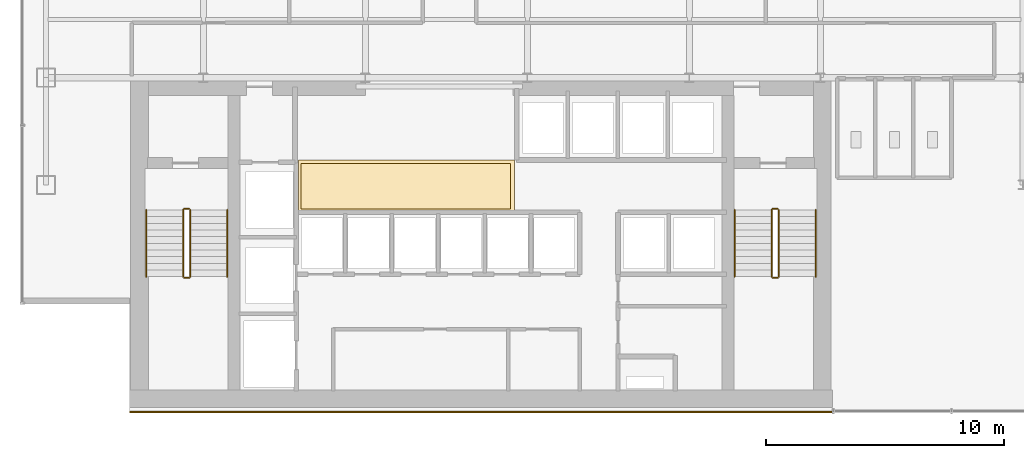
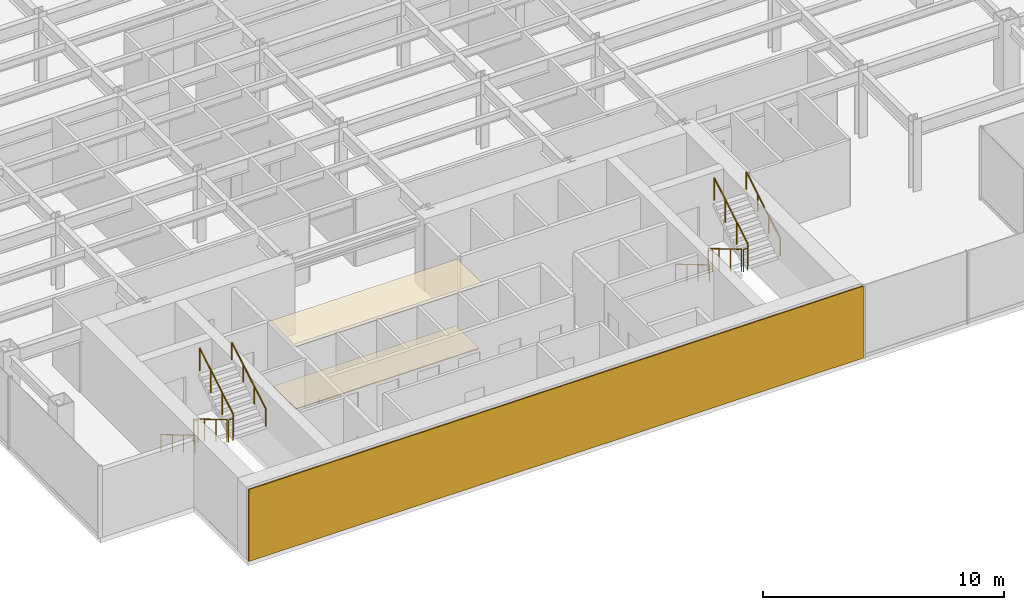
# One storey, part 24 of 26: 12 railings, 3 coverings.
"""IFC4 building model written with IfcOpenShell, lengths in metres."""

from ifc_helpers import new_model, si_unit, derived_unit, direction, frame, origin, origin_2d, place, context, subcontext, project, spatial, polyline, rectangle, circle, outline, extrude, source, transform, mapped, material, layer, layer_set, type_object, element, save


model = new_model("IFC4")

# Units and contexts
model_context = context("Model", 3, precision=1e-05, world=origin(), true_north=direction((0.0, 1.0)))
body_context = subcontext(model_context, "Body", "Model", "MODEL_VIEW")
ifc_project = project(units=[si_unit("LENGTHUNIT", "METRE"), si_unit("AREAUNIT", "SQUARE_METRE"), si_unit("VOLUMEUNIT", "CUBIC_METRE"), si_unit("PLANEANGLEUNIT", "RADIAN"), si_unit("MASSUNIT", "GRAM", prefix="KILO"), derived_unit("THERMALTRANSMITTANCEUNIT", [(si_unit("POWERUNIT", "WATT"), 1), (si_unit("LENGTHUNIT", "METRE"), -2), (si_unit("THERMODYNAMICTEMPERATUREUNIT", "KELVIN"), -1)])], contexts=[model_context])

# Site, building, storey
site_placement = place(None, origin())
site = spatial("IfcSite", under=ifc_project, at=site_placement, CompositionType="ELEMENT")
building_placement = place(site_placement, origin())
building = spatial("IfcBuilding", under=site, at=building_placement, Name="Skarnbrae Concourse Arena and Tower", CompositionType="ELEMENT")
storey_placement = place(building_placement, frame((0.0, 0.0, 92.300048828125)))
storey = spatial("IfcBuildingStorey", under=building, at=storey_placement, Name="L22", CompositionType="ELEMENT", Elevation=92.300048828125)

# Coverings
ifc_material_1 = material(Name="Mineral fibre acoustic ceiling tile", Category="other")
ifc_layer_1 = layer(ifc_material_1, 0.0400390625)
ifc_layer_set_1 = layer_set([ifc_layer_1], Name="Mineral fibre acoustic ceiling tile")
covering_type_1 = type_object("IfcCoveringType", Name="COV-CEIL-ACOUSTIC", PredefinedType="CEILING", material=ifc_layer_set_1)
covering_1_placement = place(storey_placement, frame((0.0, 0.0, 3.239990234375)))
element("IfcCovering", 1, at=covering_1_placement, inside=storey, type_object=covering_type_1, Name="L22 Lift lobby acoustic ceiling", PredefinedType="CEILING", context=body_context, shape_type="SweptSolid", body=[
    extrude(outline(polyline([(11.60009765625, 8.39990234375), (20.64990234375, 8.39990234375), (20.64990234375, 10.550048828125), (11.60009765625, 10.550048828125), (11.60009765625, 8.39990234375)])), origin(), (0.0, 0.0, 1.0), 0.0400390625),
])
ifc_material_2 = material(Name="Polished granite terrazzo flooring", Category="masonry")
ifc_layer_2 = layer(ifc_material_2, 0.0400390625)
ifc_layer_set_2 = layer_set([ifc_layer_2], Name="Polished granite terrazzo flooring")
covering_type_2 = type_object("IfcCoveringType", Name="COV-FLOOR-TERRAZZO", PredefinedType="FLOORING", material=ifc_layer_set_2)
covering_2_placement = place(storey_placement, origin())
element("IfcCovering", 2, at=covering_2_placement, inside=storey, type_object=covering_type_2, Name="L22 Lift lobby terrazzo flooring", PredefinedType="FLOORING", context=body_context, shape_type="SweptSolid", body=[
    extrude(outline(polyline([(11.699951171875, 8.5), (20.5, 8.5), (20.5, 10.39990234375), (11.699951171875, 10.39990234375), (11.699951171875, 8.5)])), origin(), (0.0, 0.0, 1.0), 0.0400390625),
])

# Railings
ifc_material_3 = material(Name="Steel CSA G40.21 350W", Category="steel")
railing_type_1 = type_object("IfcRailingType", Name="RAIL-HANDRAIL-900", PredefinedType="HANDRAIL", material=ifc_material_3)
railing_1_placement = place(storey_placement, frame((5.199951171875, 8.449951171875, 0.165771484375)))
element("IfcRailing", 3, at=railing_1_placement, inside=storey, type_object=railing_type_1, Name="L22 ST-1 stair handrail 1", PredefinedType="HANDRAIL", context=body_context, shape_type="SweptSolid", body=[
    extrude(circle(Radius=0.02392578125, at=origin_2d()), frame((0.0, 0.0, 0.8759765625), z_axis=(0.0, -0.860306154799, 0.50977771628), x_axis=(1.0, 0.0, 0.0)), (0.0, 0.0, 1.0), 3.254638671875),
    extrude(circle(Radius=0.02099609375, at=origin_2d()), origin(), (0.0, 0.0, 1.0), 0.851806640625),
    extrude(circle(Radius=0.02099609375, at=origin_2d()), frame((0.0, -0.933349609375, 0.552978515625)), (0.0, 0.0, 1.0), 0.851806640625),
    extrude(circle(Radius=0.02099609375, at=origin_2d()), frame((0.0, -1.86669921875, 1.106201171875)), (0.0, 0.0, 1.0), 0.851806640625),
    extrude(circle(Radius=0.02099609375, at=origin_2d()), frame((0.0, -2.800048828125, 1.6591796875)), (0.0, 0.0, 1.0), 0.851806640625),
])
railing_2_placement = place(storey_placement, frame((8.60009765625, 5.64990234375, 1.990966796875)))
element("IfcRailing", 4, at=railing_2_placement, inside=storey, type_object=railing_type_1, Name="L22 ST-1 stair handrail 2", PredefinedType="HANDRAIL", context=body_context, shape_type="SweptSolid", body=[
    extrude(circle(Radius=0.02392578125, at=origin_2d()), frame((0.0, 0.0, 0.8759765625), z_axis=(0.0, 0.860339051648, 0.50972219513), x_axis=(-1.0, 0.0, 0.0)), (0.0, 0.0, 1.0), 3.254638671875),
    extrude(circle(Radius=0.02099609375, at=origin_2d()), origin(), (0.0, 0.0, 1.0), 0.851806640625),
    extrude(circle(Radius=0.02099609375, at=origin_2d()), frame((0.0, 0.933349609375, 0.552978515625)), (0.0, 0.0, 1.0), 0.851806640625),
    extrude(circle(Radius=0.02099609375, at=origin_2d()), frame((0.0, 1.86669921875, 1.10595703125)), (0.0, 0.0, 1.0), 0.851806640625),
    extrude(circle(Radius=0.02099609375, at=origin_2d()), frame((0.0, 2.800048828125, 1.658935546875)), (0.0, 0.0, 1.0), 0.851806640625),
])
railing_3_placement = place(storey_placement, frame((29.89990234375, 8.449951171875, 0.165771484375)))
element("IfcRailing", 5, at=railing_3_placement, inside=storey, type_object=railing_type_1, Name="L22 ST-2 stair handrail 1", PredefinedType="HANDRAIL", context=body_context, shape_type="SweptSolid", body=[
    extrude(circle(Radius=0.02392578125, at=origin_2d()), frame((0.0, 0.0, 0.8759765625), z_axis=(0.0, -0.860306154799, 0.50977771628), x_axis=(1.0, 0.0, 0.0)), (0.0, 0.0, 1.0), 3.254638671875),
    extrude(circle(Radius=0.02099609375, at=origin_2d()), origin(), (0.0, 0.0, 1.0), 0.851806640625),
    extrude(circle(Radius=0.02099609375, at=origin_2d()), frame((0.0, -0.933349609375, 0.552978515625)), (0.0, 0.0, 1.0), 0.851806640625),
    extrude(circle(Radius=0.02099609375, at=origin_2d()), frame((0.0, -1.86669921875, 1.106201171875)), (0.0, 0.0, 1.0), 0.851806640625),
    extrude(circle(Radius=0.02099609375, at=origin_2d()), frame((0.0, -2.800048828125, 1.6591796875)), (0.0, 0.0, 1.0), 0.851806640625),
])
railing_4_placement = place(storey_placement, frame((33.300048828125, 5.64990234375, 1.990966796875)))
element("IfcRailing", 6, at=railing_4_placement, inside=storey, type_object=railing_type_1, Name="L22 ST-2 stair handrail 2", PredefinedType="HANDRAIL", context=body_context, shape_type="SweptSolid", body=[
    extrude(circle(Radius=0.02392578125, at=origin_2d()), frame((0.0, 0.0, 0.8759765625), z_axis=(0.0, 0.860339051648, 0.50972219513), x_axis=(-1.0, 0.0, 0.0)), (0.0, 0.0, 1.0), 3.254638671875),
    extrude(circle(Radius=0.02099609375, at=origin_2d()), origin(), (0.0, 0.0, 1.0), 0.851806640625),
    extrude(circle(Radius=0.02099609375, at=origin_2d()), frame((0.0, 0.933349609375, 0.552978515625)), (0.0, 0.0, 1.0), 0.851806640625),
    extrude(circle(Radius=0.02099609375, at=origin_2d()), frame((0.0, 1.86669921875, 1.10595703125)), (0.0, 0.0, 1.0), 0.851806640625),
    extrude(circle(Radius=0.02099609375, at=origin_2d()), frame((0.0, 2.800048828125, 1.658935546875)), (0.0, 0.0, 1.0), 0.851806640625),
])
railing_type_2 = type_object("IfcRailingType", Name="RAIL-STAIR-GUARD-1150", PredefinedType="GUARDRAIL", material=ifc_material_3)
railing_5_placement = place(storey_placement, frame((6.75, 8.449951171875, 0.165771484375)))
element("IfcRailing", 7, at=railing_5_placement, inside=storey, type_object=railing_type_2, Name="L22 ST-1 stair guard 1", PredefinedType="GUARDRAIL", context=body_context, shape_type="SweptSolid", body=[
    extrude(circle(Radius=0.02392578125, at=origin_2d()), frame((0.0, 0.0, 1.1259765625), z_axis=(0.0, -0.860306154799, 0.50977771628), x_axis=(1.0, 0.0, 0.0)), (0.0, 0.0, 1.0), 3.254638671875),
    extrude(circle(Radius=0.02099609375, at=origin_2d()), origin(), (0.0, 0.0, 1.0), 1.101806640625),
    extrude(circle(Radius=0.02099609375, at=origin_2d()), frame((0.0, -0.933349609375, 0.552978515625)), (0.0, 0.0, 1.0), 1.101806640625),
    extrude(circle(Radius=0.02099609375, at=origin_2d()), frame((0.0, -1.86669921875, 1.106201171875)), (0.0, 0.0, 1.0), 1.101806640625),
    extrude(circle(Radius=0.02099609375, at=origin_2d()), frame((0.0, -2.800048828125, 1.6591796875)), (0.0, 0.0, 1.0), 1.101806640625),
])
railing_6_placement = place(storey_placement, frame((6.800048828125, 5.60009765625, 1.824951171875)))
element("IfcRailing", 8, at=railing_6_placement, inside=storey, type_object=railing_type_2, Name="L22 ST-1 stair guard 2", PredefinedType="GUARDRAIL", context=body_context, shape_type="SweptSolid", body=[
    extrude(circle(Radius=0.02392578125, at=origin_2d()), frame((0.0, 0.0, 1.1259765625), z_axis=(1.0, 0.0, 0.0), x_axis=(0.0, 1.0, 0.0)), (0.0, 0.0, 1.0), 0.199951171875),
    extrude(circle(Radius=0.02099609375, at=origin_2d()), origin(), (0.0, 0.0, 1.0), 1.101806640625),
    extrude(circle(Radius=0.02099609375, at=origin_2d()), frame((0.199951171875, 0.0, 0.0)), (0.0, 0.0, 1.0), 1.101806640625),
])
railing_7_placement = place(storey_placement, frame((7.050048828125, 5.64990234375, 1.990966796875)))
element("IfcRailing", 9, at=railing_7_placement, inside=storey, type_object=railing_type_2, Name="L22 ST-1 stair guard 3", PredefinedType="GUARDRAIL", context=body_context, shape_type="SweptSolid", body=[
    extrude(circle(Radius=0.02392578125, at=origin_2d()), frame((0.0, 0.0, 1.1259765625), z_axis=(0.0, 0.860339051648, 0.50972219513), x_axis=(-1.0, 0.0, 0.0)), (0.0, 0.0, 1.0), 3.254638671875),
    extrude(circle(Radius=0.02099609375, at=origin_2d()), origin(), (0.0, 0.0, 1.0), 1.101806640625),
    extrude(circle(Radius=0.02099609375, at=origin_2d()), frame((0.0, 0.933349609375, 0.552978515625)), (0.0, 0.0, 1.0), 1.101806640625),
    extrude(circle(Radius=0.02099609375, at=origin_2d()), frame((0.0, 1.86669921875, 1.10595703125)), (0.0, 0.0, 1.0), 1.101806640625),
    extrude(circle(Radius=0.02099609375, at=origin_2d()), frame((0.0, 2.800048828125, 1.658935546875)), (0.0, 0.0, 1.0), 1.101806640625),
])
railing_8_placement = place(storey_placement, frame((6.800048828125, 8.5, 0.0)))
element("IfcRailing", 10, at=railing_8_placement, inside=storey, type_object=railing_type_2, Name="L22 ST-1 stair guard 4", PredefinedType="GUARDRAIL", context=body_context, shape_type="SweptSolid", body=[
    extrude(circle(Radius=0.02392578125, at=origin_2d()), frame((0.0, 0.0, 1.1259765625), z_axis=(1.0, 0.0, 0.0), x_axis=(0.0, 1.0, 0.0)), (0.0, 0.0, 1.0), 0.199951171875),
    extrude(circle(Radius=0.02099609375, at=origin_2d()), origin(), (0.0, 0.0, 1.0), 1.101806640625),
    extrude(circle(Radius=0.02099609375, at=origin_2d()), frame((0.199951171875, 0.0, 0.0)), (0.0, 0.0, 1.0), 1.101806640625),
])
railing_9_placement = place(storey_placement, frame((31.449951171875, 8.449951171875, 0.165771484375)))
element("IfcRailing", 11, at=railing_9_placement, inside=storey, type_object=railing_type_2, Name="L22 ST-2 stair guard 1", PredefinedType="GUARDRAIL", context=body_context, shape_type="SweptSolid", body=[
    extrude(circle(Radius=0.02392578125, at=origin_2d()), frame((0.0, 0.0, 1.1259765625), z_axis=(0.0, -0.860306154799, 0.50977771628), x_axis=(1.0, 0.0, 0.0)), (0.0, 0.0, 1.0), 3.254638671875),
    extrude(circle(Radius=0.02099609375, at=origin_2d()), origin(), (0.0, 0.0, 1.0), 1.101806640625),
    extrude(circle(Radius=0.02099609375, at=origin_2d()), frame((0.0, -0.933349609375, 0.552978515625)), (0.0, 0.0, 1.0), 1.101806640625),
    extrude(circle(Radius=0.02099609375, at=origin_2d()), frame((0.0, -1.86669921875, 1.106201171875)), (0.0, 0.0, 1.0), 1.101806640625),
    extrude(circle(Radius=0.02099609375, at=origin_2d()), frame((0.0, -2.800048828125, 1.6591796875)), (0.0, 0.0, 1.0), 1.101806640625),
])
railing_10_placement = place(storey_placement, frame((31.5, 5.60009765625, 1.824951171875)))
element("IfcRailing", 12, at=railing_10_placement, inside=storey, type_object=railing_type_2, Name="L22 ST-2 stair guard 2", PredefinedType="GUARDRAIL", context=body_context, shape_type="SweptSolid", body=[
    extrude(circle(Radius=0.02392578125, at=origin_2d()), frame((0.0, 0.0, 1.1259765625), z_axis=(1.0, 0.0, 0.0), x_axis=(0.0, 1.0, 0.0)), (0.0, 0.0, 1.0), 0.199951171875),
    extrude(circle(Radius=0.02099609375, at=origin_2d()), origin(), (0.0, 0.0, 1.0), 1.101806640625),
    extrude(circle(Radius=0.02099609375, at=origin_2d()), frame((0.199951171875, 0.0, 0.0)), (0.0, 0.0, 1.0), 1.101806640625),
])
railing_11_placement = place(storey_placement, frame((31.75, 5.64990234375, 1.990966796875)))
element("IfcRailing", 13, at=railing_11_placement, inside=storey, type_object=railing_type_2, Name="L22 ST-2 stair guard 3", PredefinedType="GUARDRAIL", context=body_context, shape_type="SweptSolid", body=[
    extrude(circle(Radius=0.02392578125, at=origin_2d()), frame((0.0, 0.0, 1.1259765625), z_axis=(0.0, 0.860339051648, 0.50972219513), x_axis=(-1.0, 0.0, 0.0)), (0.0, 0.0, 1.0), 3.254638671875),
    extrude(circle(Radius=0.02099609375, at=origin_2d()), origin(), (0.0, 0.0, 1.0), 1.101806640625),
    extrude(circle(Radius=0.02099609375, at=origin_2d()), frame((0.0, 0.933349609375, 0.552978515625)), (0.0, 0.0, 1.0), 1.101806640625),
    extrude(circle(Radius=0.02099609375, at=origin_2d()), frame((0.0, 1.86669921875, 1.10595703125)), (0.0, 0.0, 1.0), 1.101806640625),
    extrude(circle(Radius=0.02099609375, at=origin_2d()), frame((0.0, 2.800048828125, 1.658935546875)), (0.0, 0.0, 1.0), 1.101806640625),
])
railing_12_placement = place(storey_placement, frame((31.5, 8.5, 0.0)))
element("IfcRailing", 14, at=railing_12_placement, inside=storey, type_object=railing_type_2, Name="L22 ST-2 stair guard 4", PredefinedType="GUARDRAIL", context=body_context, shape_type="SweptSolid", body=[
    extrude(circle(Radius=0.02392578125, at=origin_2d()), frame((0.0, 0.0, 1.1259765625), z_axis=(1.0, 0.0, 0.0), x_axis=(0.0, 1.0, 0.0)), (0.0, 0.0, 1.0), 0.199951171875),
    extrude(circle(Radius=0.02099609375, at=origin_2d()), origin(), (0.0, 0.0, 1.0), 1.101806640625),
    extrude(circle(Radius=0.02099609375, at=origin_2d()), frame((0.199951171875, 0.0, 0.0)), (0.0, 0.0, 1.0), 1.101806640625),
])

# Covering
ifc_material_4 = material(Name="Bronze anodised aluminium 6063-T6", Category="aluminium")
ifc_layer_3 = layer(ifc_material_4, 0.06005859375)
ifc_layer_set_3 = layer_set([ifc_layer_3], Name="Bronze anodised aluminium 6063-T6")
covering_type_3 = type_object("IfcCoveringType", Name="COV-CLAD-BRONZE-60", PredefinedType="CLADDING", material=ifc_layer_set_3)
shared_shape = source(origin(), body_context, "Body", "SweptSolid", [
    extrude(rectangle(XDim=29.5, YDim=0.06005859375, at=origin_2d()), origin(), (0.0, 0.0, 1.0), 3.64990234375),
])
covering_3_placement = place(storey_placement, frame((19.25, -0.030029296875, 0.0), z_axis=(0.0, 0.0, 1.0), x_axis=(1.0, 0.0, 0.0)))
element("IfcCovering", 15, at=covering_3_placement, inside=storey, type_object=covering_type_3, Name="L22 Rear-core plumb spine bronze rainscreen panel", PredefinedType="CLADDING", context=body_context, shape_type="MappedRepresentation", body=[
    mapped(shared_shape, transform((0.0, 0.0, 0.0))),
])

save(model, "model.ifc")
